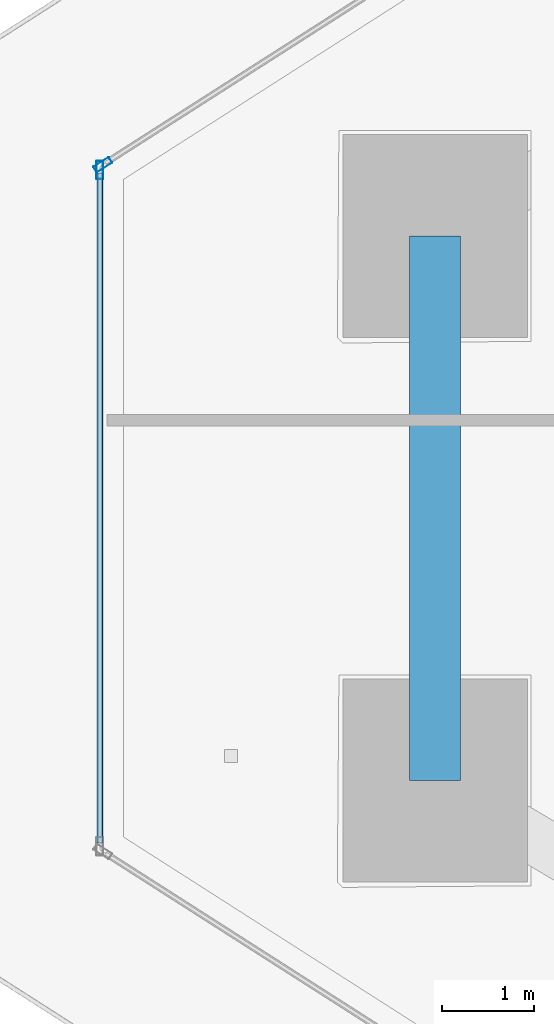
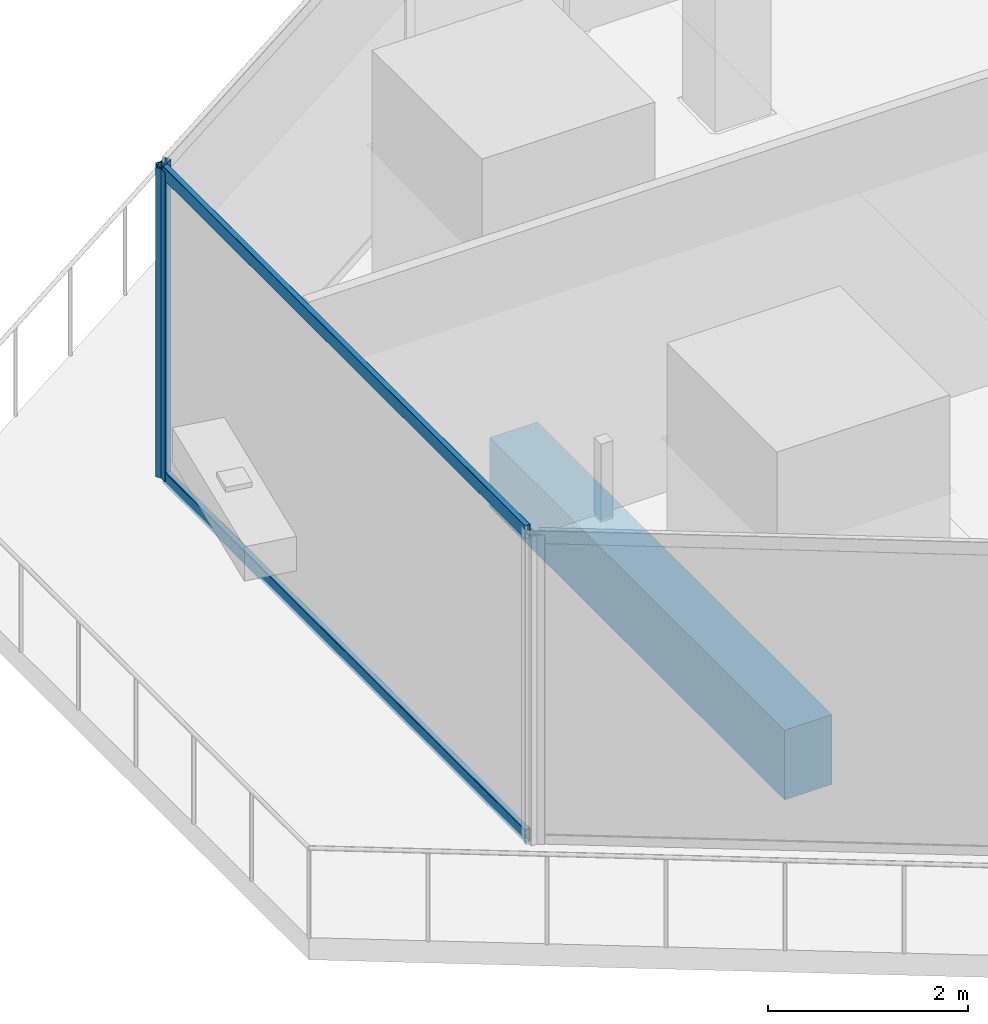
# One storey, part 5 of 39: 4 members, 1 beam, 2 elements without a shape of their own.
"""IFC4 building model written with IfcOpenShell, lengths in metres."""

from ifc_helpers import new_model, si_unit, direction, frame, origin, origin_2d, place, context, subcontext, project, spatial, rectangle, hollow_rectangle, extrude, material, layer, layer_set, material_profile, profile_set, type_object, element, aggregate, save


model = new_model("IFC4")

# Units and contexts
model_context = context("Model", 3, precision=1e-05, world=origin(), true_north=direction((0.0, 1.0)))
body_context = subcontext(model_context, "Body", "Model", "MODEL_VIEW")
ifc_project = project(units=[si_unit("LENGTHUNIT", "METRE"), si_unit("AREAUNIT", "SQUARE_METRE"), si_unit("VOLUMEUNIT", "CUBIC_METRE"), si_unit("PLANEANGLEUNIT", "RADIAN"), si_unit("MASSUNIT", "GRAM", prefix="KILO")], contexts=[model_context])

# Site, building, storey
site_placement = place(None, origin())
site = spatial("IfcSite", under=ifc_project, at=site_placement, CompositionType="ELEMENT")
building_placement = place(site_placement, origin())
building = spatial("IfcBuilding", under=site, at=building_placement, Name="Qorvath Tower", CompositionType="ELEMENT")
storey_placement = place(building_placement, frame((0.0, 0.0, 154.35009765625)))
storey = spatial("IfcBuildingStorey", under=building, at=storey_placement, Name="L35", CompositionType="ELEMENT", Elevation=154.35009765625)

# Beam
ifc_material_1 = material(Name="Concrete C50/60", Category="concrete")
ifc_material_profile_1 = material_profile(ifc_material_1, rectangle(XDim=0.550048828125, YDim=0.85009765625, at=origin_2d()), Name="RCB 850x550")
ifc_profile_set_1 = profile_set([ifc_material_profile_1], Name="Concrete C50/60")
beam_type = type_object("IfcBeamType", Name="BM-RCB2", PredefinedType="SPANDREL", material=ifc_profile_set_1)
beam_placement = place(storey_placement, frame((-53.04931640625, 2.95068359375, -0.695068359375), z_axis=(0.0, -1.0, 0.0), x_axis=(1.0, 0.0, 0.0)))
element("IfcBeam", 1, at=beam_placement, inside=storey, type_object=beam_type, Name="Perimeter Loggia Frame Beam MC1-MC2 L35", PredefinedType="SPANDREL", context=body_context, shape_type="SweptSolid", body=[
    extrude(rectangle(XDim=0.550048828125, YDim=0.85009765625, at=origin_2d()), origin(), (0.0, 0.0, 1.0), 5.9013671875),
])

# Curtain wall, member
ifc_material_2 = material(Name="Anodised aluminium and triple low-E glass", Category="aluminium")
ifc_layer = layer(ifc_material_2, 0.179931640625)
ifc_layer_set = layer_set([ifc_layer], Name="CW-SYS-5")
curtain_wall_type = type_object("IfcCurtainWallType", Name="CW-SYS-5", PredefinedType="NOTDEFINED", material=ifc_layer_set)
curtain_wall_1_placement = place(storey_placement, origin())
curtain_wall_1 = element("IfcCurtainWall", 2, at=curtain_wall_1_placement, inside=storey, type_object=curtain_wall_type, Name="Curtain Wall CW-5 CW-T-L35-16.1", PredefinedType="NOTDEFINED")
ifc_material_3 = material(Name="Anodised aluminium 6063-T6", Category="aluminium")
ifc_material_profile_2 = material_profile(ifc_material_3, hollow_rectangle(XDim=0.074951171875, YDim=0.199951171875, WallThickness=0.00390625, InnerFilletRadius=0.00390625, OuterFilletRadius=0.008056640625, at=origin_2d()), Name="CWM 200x75")
ifc_profile_set_2 = profile_set([ifc_material_profile_2], Name="Anodised aluminium 6063-T6")
member_type_1 = type_object("IfcMemberType", Name="CWM-200", PredefinedType="MULLION", material=ifc_profile_set_2)
member_1_placement = place(storey_placement, frame((-56.652099609375, 3.723388671875, 0.0), z_axis=(0.0, 0.0, 1.0), x_axis=(0.538535404822, -0.842602882592, 0.0)))
member_1 = element("IfcMember", 3, at=member_1_placement, type_object=member_type_1, Name="CW-5 mullion 10", PredefinedType="MULLION", context=body_context, shape_type="SweptSolid", body=[
    extrude(hollow_rectangle(XDim=0.074951171875, YDim=0.199951171875, WallThickness=0.00390625, InnerFilletRadius=0.00390625, OuterFilletRadius=0.008056640625, at=origin_2d()), origin(), (0.0, 0.0, 1.0), 3.77978515625),
])
aggregate(curtain_wall_1, [member_1])

# Curtain wall, members
curtain_wall_2_placement = place(storey_placement, origin())
curtain_wall_2 = element("IfcCurtainWall", 4, at=curtain_wall_2_placement, inside=storey, type_object=curtain_wall_type, Name="Curtain Wall CW-5 CW-T-L35-17.1", PredefinedType="NOTDEFINED")
member_2_placement = place(storey_placement, frame((-56.683837890625, 3.66552734375, 0.0), z_axis=(0.0, 0.0, 1.0), x_axis=(1.0, 0.0, 0.0)))
member_2 = element("IfcMember", 5, at=member_2_placement, type_object=member_type_1, Name="CW-5 mullion 1", PredefinedType="MULLION", context=body_context, shape_type="SweptSolid", body=[
    extrude(hollow_rectangle(XDim=0.074951171875, YDim=0.199951171875, WallThickness=0.00390625, InnerFilletRadius=0.00390625, OuterFilletRadius=0.008056640625, at=origin_2d()), origin(), (0.0, 0.0, 1.0), 3.77978515625),
])
ifc_material_4 = material(Name="Anodised aluminium 6063-T6", Category="aluminium")
ifc_material_profile_3 = material_profile(ifc_material_4, hollow_rectangle(XDim=0.06494140625, YDim=0.159912109375, WallThickness=0.00341796875, InnerFilletRadius=0.00341796875, OuterFilletRadius=0.007080078125, at=origin_2d()), Name="CWT 160x65")
ifc_profile_set_3 = profile_set([ifc_material_profile_3], Name="Anodised aluminium 6063-T6")
member_type_2 = type_object("IfcMemberType", Name="CWT-160", PredefinedType="USERDEFINED", material=ifc_profile_set_3)
member_3_placement = place(storey_placement, frame((-56.683837890625, 3.628173828125, 0.032470703125), z_axis=(0.0, -1.0, 0.0), x_axis=(1.0, 0.0, 0.0)))
member_3 = element("IfcMember", 6, at=member_3_placement, type_object=member_type_2, Name="CW-5 transom 1.1", ObjectType="TRANSOM", PredefinedType="USERDEFINED", context=body_context, shape_type="SweptSolid", body=[
    extrude(hollow_rectangle(XDim=0.06494140625, YDim=0.159912109375, WallThickness=0.00341796875, InnerFilletRadius=0.00341796875, OuterFilletRadius=0.007080078125, at=origin_2d()), origin(), (0.0, 0.0, 1.0), 7.25634765625),
])
member_4_placement = place(storey_placement, frame((-56.683837890625, 3.628173828125, 3.747314453125), z_axis=(0.0, -1.0, 0.0), x_axis=(1.0, 0.0, 0.0)))
member_4 = element("IfcMember", 7, at=member_4_placement, type_object=member_type_2, Name="CW-5 transom 1.2", ObjectType="TRANSOM", PredefinedType="USERDEFINED", context=body_context, shape_type="SweptSolid", body=[
    extrude(hollow_rectangle(XDim=0.06494140625, YDim=0.159912109375, WallThickness=0.00341796875, InnerFilletRadius=0.00341796875, OuterFilletRadius=0.007080078125, at=origin_2d()), origin(), (0.0, 0.0, 1.0), 7.25634765625),
])
aggregate(curtain_wall_2, [member_2, member_3, member_4])

save(model, "model.ifc")
